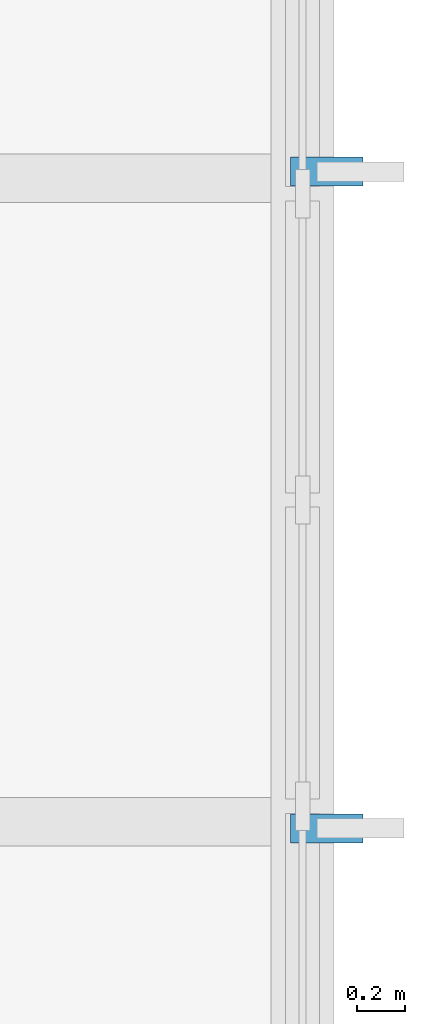
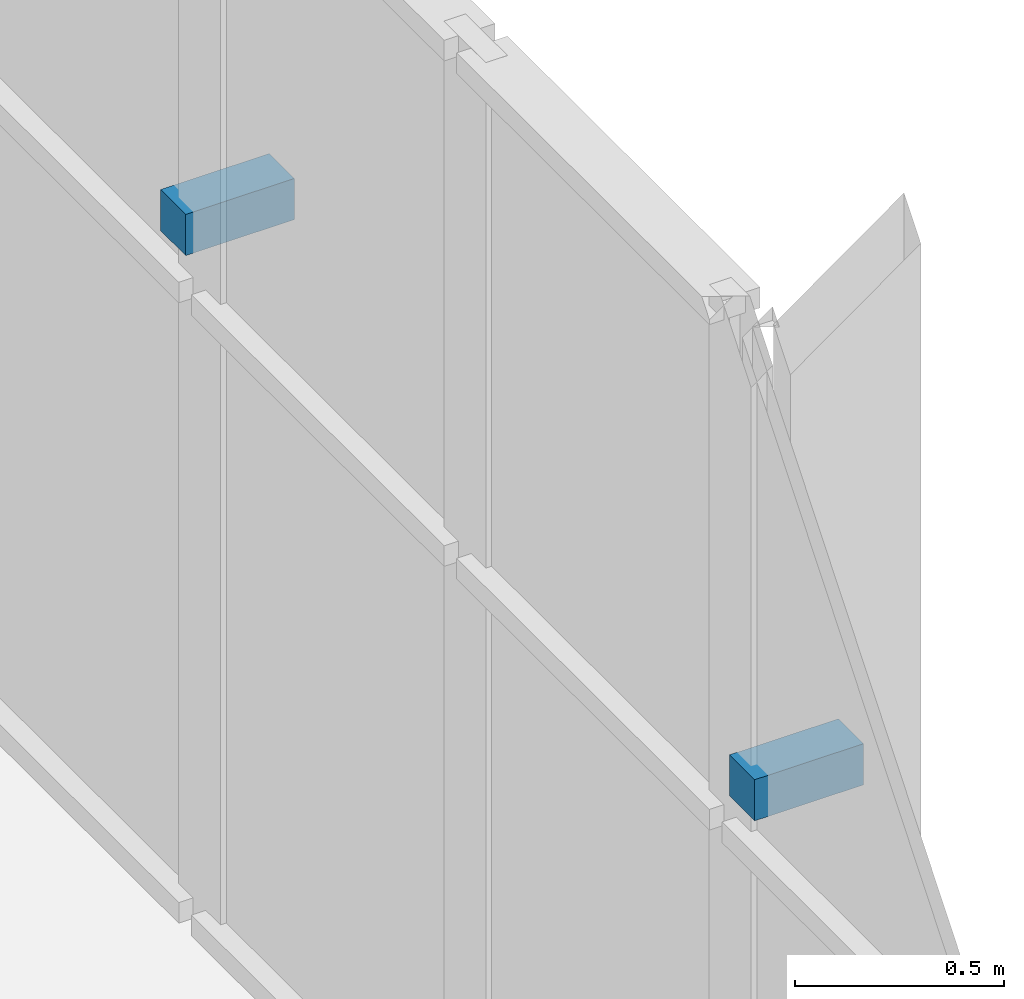
# One storey, part 12 of 15: 2 discrete accessories.
"""IFC4 building model written with IfcOpenShell, lengths in metres."""

import ifcopenshell
import ifcopenshell.guid

model = None  # the IFC model being written
_history = None  # IfcOwnerHistory: only IFC2X3 demands one
_inside = {}  # id of a spatial element -> (the spatial element, [elements in it])
_under = {}  # id of a project, library or spatial element -> (it, [spatial elements below it])
_declared = {}  # id of a project -> (the project, [libraries it declares])
_typed = {}  # id of a type object -> (the type object, [elements of that type])
_made_of = {}  # id of a material, layer set ... -> (it, [elements and type objects made of it])


def new_model(schema):
    """Start an empty IFC model of exactly this schema.

    Asked for "IFC4X3", IfcOpenShell would pick the latest addendum, in which some entities
    have other attributes; the version numbers below select the first issue.
    IFC2X3 requires an IfcOwnerHistory on every rooted entity: one is made here for all.
    """
    global model, _history
    if schema == "IFC4X3":
        model = ifcopenshell.file(schema_version=(4, 3, 0, 0))
    else:
        model = ifcopenshell.file(schema=schema)
    _inside.clear()
    _under.clear()
    _declared.clear()
    _typed.clear()
    _made_of.clear()
    _history = None
    if model.schema == "IFC2X3":
        org = make("IfcOrganization", Name="unknown")
        user = make(
            "IfcPersonAndOrganization",
            ThePerson=make("IfcPerson", FamilyName="unknown"),
            TheOrganization=org,
        )
        app = make(
            "IfcApplication",
            ApplicationDeveloper=org,
            Version="unknown",
            ApplicationFullName="unknown",
            ApplicationIdentifier="unknown",
        )
        _history = make(
            "IfcOwnerHistory",
            OwningUser=user,
            OwningApplication=app,
            ChangeAction="ADDED",
            CreationDate=0,
        )
    return model


def make(cls, **values):
    """One entity of the class cls with the attributes given. An attribute that is None is left unset."""
    return model.create_entity(
        cls, **{name: value for name, value in values.items() if value is not None}
    )


def rooted(cls, **values):
    """An entity with a GlobalId (a new one), such as an element, a storey or a relation."""
    return make(cls, GlobalId=ifcopenshell.guid.new(), OwnerHistory=_history, **values)


def si_unit(unit_type, name, prefix=None):
    """IfcSIUnit, for example si_unit("LENGTHUNIT", "METRE", prefix="MILLI")."""
    return make("IfcSIUnit", UnitType=unit_type, Prefix=prefix, Name=name)


def assignment(units):
    """IfcUnitAssignment: the units of a project."""
    return None if units is None else make("IfcUnitAssignment", Units=units)


def point(xyz):
    """IfcCartesianPoint."""
    return None if xyz is None else make("IfcCartesianPoint", Coordinates=xyz)


def direction(xyz):
    """IfcDirection."""
    return None if xyz is None else make("IfcDirection", DirectionRatios=xyz)


def frame(location, z_axis=None, x_axis=None):
    """IfcAxis2Placement3D, a coordinate frame: its origin and axes. An axis left out is left unset."""
    return make(
        "IfcAxis2Placement3D",
        Location=point(location),
        Axis=direction(z_axis),
        RefDirection=direction(x_axis),
    )


def frame_2d(location, x_axis=None):
    """IfcAxis2Placement2D, a coordinate frame in the plane: its origin and x axis."""
    return make(
        "IfcAxis2Placement2D", Location=point(location), RefDirection=direction(x_axis)
    )


def origin():
    """The frame at (0, 0, 0) with its axes left unset."""
    return frame((0.0, 0.0, 0.0))


def origin_2d():
    """The frame at (0, 0) in the plane with its x axis left unset."""
    return frame_2d((0.0, 0.0))


def place(relative_to, where):
    """IfcLocalPlacement: puts the frame where relative to a parent placement (None: the world)."""
    return make(
        "IfcLocalPlacement", PlacementRelTo=relative_to, RelativePlacement=where
    )


def context(
    kind, dimensions, precision=None, world=None, true_north=None, identifier=None
):
    """IfcGeometricRepresentationContext, for example the 3D "Model" context."""
    return make(
        "IfcGeometricRepresentationContext",
        ContextIdentifier=identifier,
        ContextType=kind,
        CoordinateSpaceDimension=dimensions,
        Precision=precision,
        WorldCoordinateSystem=world,
        TrueNorth=true_north,
    )


def subcontext(parent, identifier, kind, view, scale=None):
    """IfcGeometricRepresentationSubContext, for example "Body" below "Model"."""
    return make(
        "IfcGeometricRepresentationSubContext",
        ContextIdentifier=identifier,
        ContextType=kind,
        ParentContext=parent,
        TargetScale=scale,
        TargetView=view,
    )


def project(units=None, contexts=None):
    """IfcProject with its units and contexts."""
    return rooted(
        "IfcProject",
        Name="project",
        RepresentationContexts=contexts,
        UnitsInContext=assignment(units),
    )


def spatial(cls, under=None, at=None, **own):
    """A site, building, storey or space (cls), placed at a placement, below another one or the project."""
    s = rooted(cls, ObjectPlacement=at, **own)
    if under is not None:
        _under.setdefault(under.id(), (under, []))[1].append(s)
    return s


def profile(cls, at=None, kind="AREA", **sizes):
    """A parametric profile (cls). Its sizes go by their IFC names, for example OverallWidth=200.0."""
    return make(cls, ProfileType=kind, Position=at, **sizes)


def rectangle(**sizes):
    """IfcRectangleProfileDef."""
    return profile("IfcRectangleProfileDef", **sizes)


def extrude(swept, where, along, depth):
    """IfcExtrudedAreaSolid: the profile swept, set in the frame where, extruded along a direction by depth."""
    return make(
        "IfcExtrudedAreaSolid",
        SweptArea=swept,
        Position=where,
        ExtrudedDirection=direction(along),
        Depth=depth,
    )


def shape(context_of_items, identifier, shape_type, items):
    """IfcShapeRepresentation: the items that make up one representation, for example the "Body"."""
    return make(
        "IfcShapeRepresentation",
        ContextOfItems=context_of_items,
        RepresentationIdentifier=identifier,
        RepresentationType=shape_type,
        Items=items,
    )


def material(Name=None, Category=None):
    """IfcMaterial."""
    return make("IfcMaterial", Name=Name, Category=Category)


def made_of(thing, what):
    """Note that an element or type object is made of a material, layer set ...; save() writes the relation."""
    if what is not None:
        _made_of.setdefault(what.id(), (what, []))[1].append(thing)
    return thing


def type_object(cls, material=None, **own):
    """A type object (cls), such as IfcWallType, which elements share."""
    return made_of(rooted(cls, **own), material)


def element(
    cls,
    number,
    at=None,
    inside=None,
    cuts=None,
    type_object=None,
    material=None,
    context=None,
    identifier="Body",
    shape_type=None,
    held_by="IfcProductDefinitionShape",
    body=None,
    shapes=None,
    **own,
):
    """One element of the class cls, such as IfcWall. Its Tag is "e" and its number.

    at: its placement. inside: the storey or other place that contains it. cuts: it is an
    opening in that element (IfcRelVoidsElement). A single representation is given by context,
    identifier, shape_type and body (its items); several are given by shapes. held_by: the class
    of the entity that holds the representations. save() writes the other relations.
    """
    e = rooted(cls, Tag="e%d" % number, ObjectPlacement=at, **own)
    if body is not None:
        shapes = [shape(context, identifier, shape_type, body)]
    if shapes is not None:
        e.Representation = make(held_by, Representations=shapes)
    if inside is not None:
        _inside.setdefault(inside.id(), (inside, []))[1].append(e)
    if cuts is not None:
        rooted(
            "IfcRelVoidsElement", RelatingBuildingElement=cuts, RelatedOpeningElement=e
        )
    if type_object is not None:
        _typed.setdefault(type_object.id(), (type_object, []))[1].append(e)
    return made_of(e, material)


def aggregate(whole, parts):
    """IfcRelAggregates: a whole, such as a stair, and the parts it consists of."""
    return rooted("IfcRelAggregates", RelatingObject=whole, RelatedObjects=parts)


def save(model, path):
    """Write the relations noted so far, then the file.

    IfcRelAggregates (storeys below a building ...), IfcRelContainedInSpatialStructure (elements
    in a storey), IfcRelDefinesByType, IfcRelAssociatesMaterial and IfcRelDeclares: one each for
    every whole, place, type object, material and project.
    """
    for whole, parts in _under.values():
        aggregate(whole, parts)
    for where, things in _inside.values():
        rooted(
            "IfcRelContainedInSpatialStructure",
            RelatedElements=things,
            RelatingStructure=where,
        )
    for kind, things in _typed.values():
        rooted("IfcRelDefinesByType", RelatedObjects=things, RelatingType=kind)
    for what, things in _made_of.values():
        rooted("IfcRelAssociatesMaterial", RelatedObjects=things, RelatingMaterial=what)
    for by, libraries in _declared.values():
        rooted("IfcRelDeclares", RelatingContext=by, RelatedDefinitions=libraries)
    model.write(path)


model = new_model("IFC4")

# Units and contexts
model_context = context("Model", 3, precision=1e-05, world=origin(), true_north=direction((0.0, 1.0)))
body_context = subcontext(model_context, "Body", "Model", "MODEL_VIEW")
ifc_project = project(units=[si_unit("LENGTHUNIT", "METRE"), si_unit("AREAUNIT", "SQUARE_METRE"), si_unit("VOLUMEUNIT", "CUBIC_METRE"), si_unit("PLANEANGLEUNIT", "RADIAN"), si_unit("MASSUNIT", "GRAM", prefix="KILO")], contexts=[model_context])

# Site, building, storey
site_placement = place(None, origin())
site = spatial("IfcSite", under=ifc_project, at=site_placement, CompositionType="ELEMENT")
building_placement = place(site_placement, origin())
building = spatial("IfcBuilding", under=site, at=building_placement, Name="Solvane Community Centre", CompositionType="ELEMENT")
storey_placement = place(building_placement, frame((0.0, 0.0, 18.0)))
storey = spatial("IfcBuildingStorey", under=building, at=storey_placement, Name="L04", CompositionType="ELEMENT", Elevation=18.0)

# Discrete accessories
ifc_material = material(Name="Steel ASTM A572 Grade 50", Category="steel")
discrete_accessory_type = type_object("IfcDiscreteAccessoryType", Name="Fin Mounting Bracket 120x120", PredefinedType="BRACKET", material=ifc_material)
for number, where, z_axis, x_axis, name in (
    (1, (140.10009765625, 19.360107421875, 1.93994140625), (0.0, 0.0, 1.0), (0.0, -1.0, 0.0), "Fin Bracket 133"),
    (2, (140.10009765625, 16.639892578125, 1.93994140625), (0.0, 0.0, 1.0), (0.0, -1.0, 0.0), "Fin Bracket 134"),
):
    element("IfcDiscreteAccessory", number, at=place(storey_placement, frame(where, z_axis=z_axis, x_axis=x_axis)), inside=storey, type_object=discrete_accessory_type, Name=name, PredefinedType="BRACKET", context=body_context, shape_type="SweptSolid", body=[
        extrude(rectangle(XDim=0.1201171875, YDim=0.300048828125, at=origin_2d()), origin(), (0.0, 0.0, 1.0), 0.1201171875),
    ])

save(model, "model.ifc")
